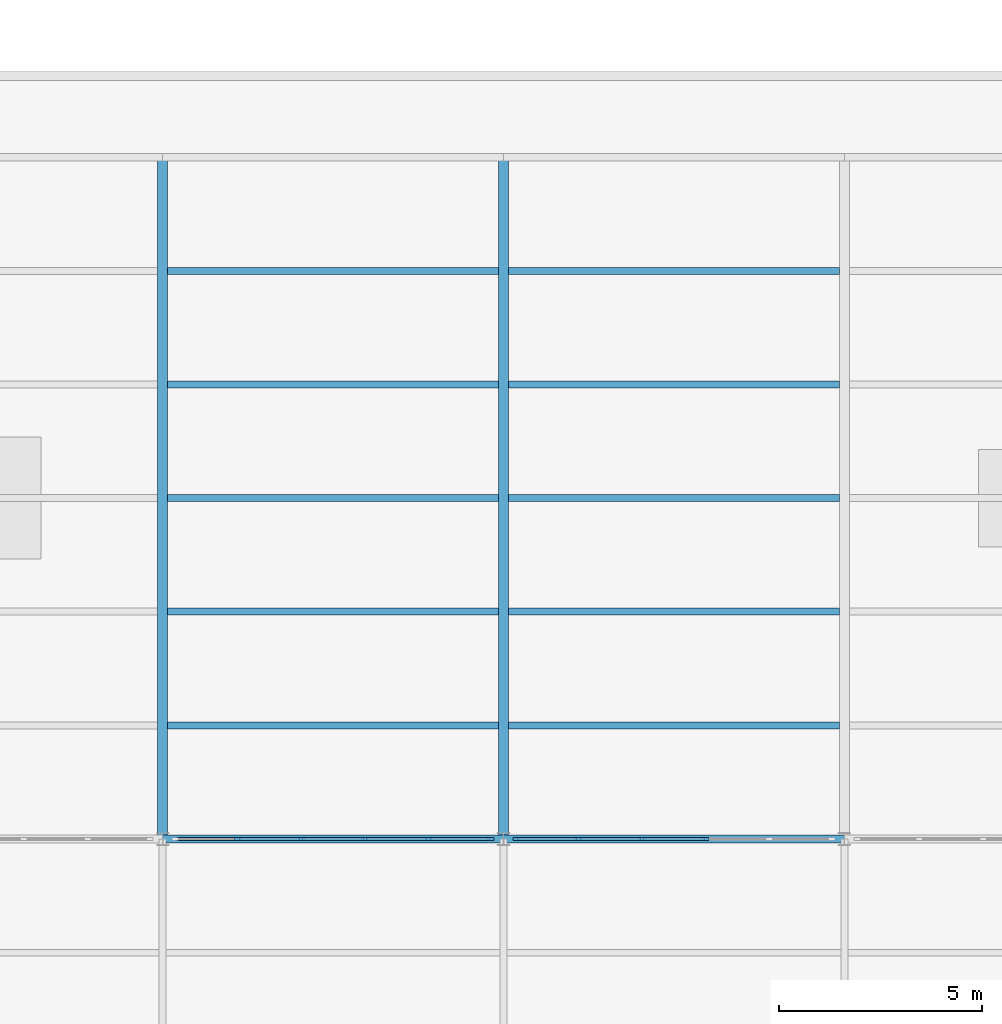
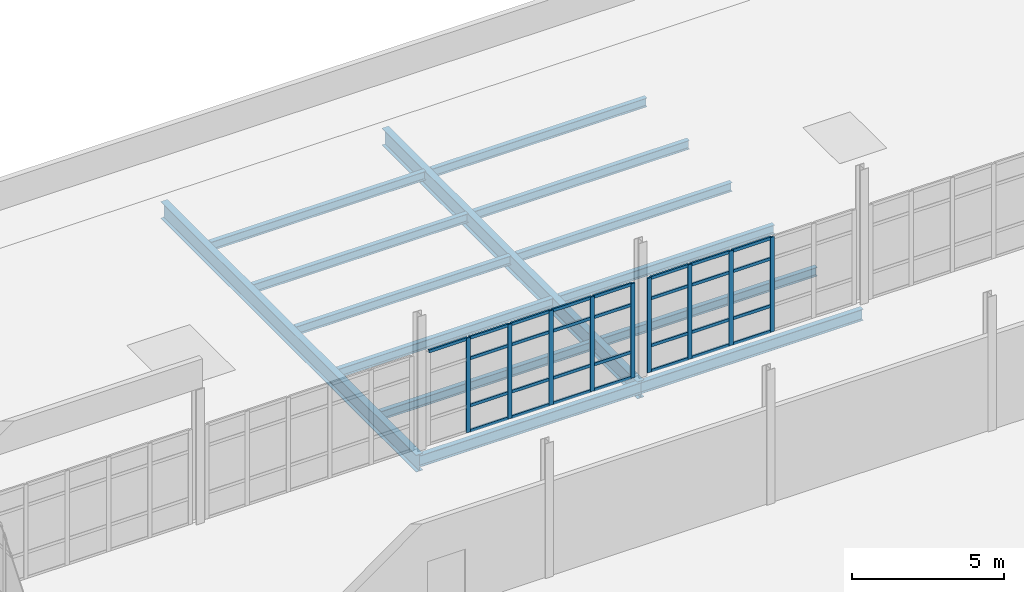
# One storey, part 19 of 33: 38 members, 14 beams, 2 elements without a shape of their own.
"""IFC4 building model written with IfcOpenShell, lengths in metres."""

from ifc_helpers import new_model, si_unit, direction, frame, origin, origin_2d, place, context, subcontext, project, spatial, rectangle, i_section, extrude, material, layer, layer_set, material_profile, profile_set, type_object, element, aggregate, save


model = new_model("IFC4")

# Units and contexts
model_context = context("Model", 3, precision=1e-05, world=origin(), true_north=direction((0.0, 1.0)))
body_context = subcontext(model_context, "Body", "Model", "MODEL_VIEW")
ifc_project = project(units=[si_unit("LENGTHUNIT", "METRE"), si_unit("AREAUNIT", "SQUARE_METRE"), si_unit("VOLUMEUNIT", "CUBIC_METRE"), si_unit("PLANEANGLEUNIT", "RADIAN"), si_unit("MASSUNIT", "GRAM", prefix="KILO"), si_unit("THERMODYNAMICTEMPERATUREUNIT", "KELVIN"), si_unit("POWERUNIT", "WATT")], contexts=[model_context])

# Site, building, storey
site_placement = place(None, origin())
site = spatial("IfcSite", under=ifc_project, at=site_placement, CompositionType="ELEMENT")
building_placement = place(site_placement, origin())
building = spatial("IfcBuilding", under=site, at=building_placement, Name="Tembeka Court Mobility Hub", CompositionType="ELEMENT")
storey_placement = place(building_placement, frame((0.0, 0.0, 23.39990234375)))
storey = spatial("IfcBuildingStorey", under=building, at=storey_placement, Name="L06", CompositionType="ELEMENT", Elevation=23.39990234375)

# Beams
ifc_material_1 = material(Name="Steel S355", Category="steel")
ifc_material_profile_1 = material_profile(ifc_material_1, i_section(OverallWidth=0.18994140625, OverallDepth=0.45703125, WebThickness=0.009033203125, FlangeThickness=0.014404296875, FilletRadius=0.01025390625, at=origin_2d()), Name="UKB 457x191x74")
ifc_profile_set_1 = profile_set([ifc_material_profile_1], Name="Steel S355")
beam_type_1 = type_object("IfcBeamType", Name="BM-B01", PredefinedType="BEAM", material=ifc_profile_set_1)
beam_1_placement = place(storey_placement, frame((50.39990234375, 80.39990234375, -0.478515625), z_axis=(1.0, 0.0, 0.0), x_axis=(0.0, 1.0, 0.0)))
element("IfcBeam", 1, at=beam_1_placement, inside=storey, type_object=beam_type_1, Name="Beam B01 (BM-L06-X3168)", PredefinedType="BEAM", context=body_context, shape_type="SweptSolid", body=[
    extrude(i_section(OverallWidth=0.18994140625, OverallDepth=0.45703125, WebThickness=0.009033203125, FlangeThickness=0.014404296875, FilletRadius=0.01025390625, at=origin_2d()), origin(), (0.0, 0.0, 1.0), 8.400146484375),
])
beam_2_placement = place(storey_placement, frame((58.800048828125, 80.39990234375, -0.478515625), z_axis=(1.0, 0.0, 0.0), x_axis=(0.0, 1.0, 0.0)))
element("IfcBeam", 2, at=beam_2_placement, inside=storey, type_object=beam_type_1, Name="Beam B01 (BM-L06-X3169)", PredefinedType="BEAM", context=body_context, shape_type="SweptSolid", body=[
    extrude(i_section(OverallWidth=0.18994140625, OverallDepth=0.45703125, WebThickness=0.009033203125, FlangeThickness=0.014404296875, FilletRadius=0.01025390625, at=origin_2d()), origin(), (0.0, 0.0, 1.0), 8.39990234375),
])
ifc_material_profile_2 = material_profile(ifc_material_1, i_section(OverallWidth=0.25390625, OverallDepth=0.68408203125, WebThickness=0.012451171875, FlangeThickness=0.01904296875, FilletRadius=0.01513671875, at=origin_2d()), Name="UKB 686x254x140")
ifc_profile_set_2 = profile_set([ifc_material_profile_2], Name="Steel S355")
beam_type_2 = type_object("IfcBeamType", Name="BM-G01", PredefinedType="USERDEFINED", material=ifc_profile_set_2)
for number, where, z_axis, x_axis, name in (
    (3, (50.39990234375, 80.39990234375, -0.591796875), (0.0, 1.0, 0.0), (-1.0, 0.0, 0.0), "Beam G01 (BM-L06-Y3253)"),
    (4, (58.800048828125, 80.39990234375, -0.591796875), (0.0, 1.0, 0.0), (-1.0, 0.0, 0.0), "Beam G01 (BM-L06-Y3260)"),
):
    element("IfcBeam", number, at=place(storey_placement, frame(where, z_axis=z_axis, x_axis=x_axis)), inside=storey, type_object=beam_type_2, Name=name, ObjectType="GIRDER", PredefinedType="USERDEFINED", context=body_context, shape_type="SweptSolid", body=[
        extrude(i_section(OverallWidth=0.25390625, OverallDepth=0.68408203125, WebThickness=0.012451171875, FlangeThickness=0.01904296875, FilletRadius=0.01513671875, at=origin_2d()), origin(), (0.0, 0.0, 1.0), 16.800048828125),
    ])
ifc_material_profile_3 = material_profile(ifc_material_1, i_section(OverallWidth=0.172119140625, OverallDepth=0.35498046875, WebThickness=0.00732421875, FlangeThickness=0.011474609375, FilletRadius=0.01025390625, at=origin_2d()), Name="UKB 356x171x51")
ifc_profile_set_3 = profile_set([ifc_material_profile_3], Name="Steel S355")
beam_type_3 = type_object("IfcBeamType", Name="BM-J01", PredefinedType="JOIST", material=ifc_profile_set_3)
for number, where, z_axis, x_axis, name in (
    (5, (50.52197265625, 83.199951171875, -0.407470703125), (1.0, 0.0, 0.0), (0.0, 1.0, 0.0), "Beam J01 (JST-L06-3416)"),
    (6, (50.52197265625, 86.0, -0.407470703125), (1.0, 0.0, 0.0), (0.0, 1.0, 0.0), "Beam J01 (JST-L06-3417)"),
    (7, (50.52197265625, 88.800048828125, -0.407470703125), (1.0, 0.0, 0.0), (0.0, 1.0, 0.0), "Beam J01 (JST-L06-3418)"),
    (8, (50.52197265625, 91.60009765625, -0.407470703125), (1.0, 0.0, 0.0), (0.0, 1.0, 0.0), "Beam J01 (JST-L06-3419)"),
    (9, (50.52197265625, 94.39990234375, -0.407470703125), (1.0, 0.0, 0.0), (0.0, 1.0, 0.0), "Beam J01 (JST-L06-3420)"),
):
    element("IfcBeam", number, at=place(storey_placement, frame(where, z_axis=z_axis, x_axis=x_axis)), inside=storey, type_object=beam_type_3, Name=name, PredefinedType="JOIST", context=body_context, shape_type="SweptSolid", body=[
        extrude(i_section(OverallWidth=0.172119140625, OverallDepth=0.35498046875, WebThickness=0.00732421875, FlangeThickness=0.011474609375, FilletRadius=0.01025390625, at=origin_2d()), origin(), (0.0, 0.0, 1.0), 8.156005859375),
    ])
for number, where, z_axis, x_axis, name in (
    (10, (58.922119140625, 83.199951171875, -0.407470703125), (1.0, 0.0, 0.0), (0.0, 1.0, 0.0), "Beam J01 (JST-L06-3436)"),
    (11, (58.922119140625, 86.0, -0.407470703125), (1.0, 0.0, 0.0), (0.0, 1.0, 0.0), "Beam J01 (JST-L06-3437)"),
    (12, (58.922119140625, 88.800048828125, -0.407470703125), (1.0, 0.0, 0.0), (0.0, 1.0, 0.0), "Beam J01 (JST-L06-3438)"),
    (13, (58.922119140625, 91.60009765625, -0.407470703125), (1.0, 0.0, 0.0), (0.0, 1.0, 0.0), "Beam J01 (JST-L06-3439)"),
    (14, (58.922119140625, 94.39990234375, -0.407470703125), (1.0, 0.0, 0.0), (0.0, 1.0, 0.0), "Beam J01 (JST-L06-3440)"),
):
    element("IfcBeam", number, at=place(storey_placement, frame(where, z_axis=z_axis, x_axis=x_axis)), inside=storey, type_object=beam_type_3, Name=name, PredefinedType="JOIST", context=body_context, shape_type="SweptSolid", body=[
        extrude(i_section(OverallWidth=0.172119140625, OverallDepth=0.35498046875, WebThickness=0.00732421875, FlangeThickness=0.011474609375, FilletRadius=0.01025390625, at=origin_2d()), origin(), (0.0, 0.0, 1.0), 8.15576171875),
    ])

# Curtain wall, members
ifc_material_2 = material(Name="Anodised aluminium 6063-T6", Category="aluminium")
ifc_layer = layer(ifc_material_2, 0.159912109375)
ifc_layer_set = layer_set([ifc_layer], Name="Anodised aluminium 6063-T6")
curtain_wall_type = type_object("IfcCurtainWallType", Name="CW-SYS57", PredefinedType="USERDEFINED", material=ifc_layer_set)
curtain_wall_1_placement = place(storey_placement, origin())
curtain_wall_1 = element("IfcCurtainWall", 15, at=curtain_wall_1_placement, inside=storey, type_object=curtain_wall_type, Name="Unitised curtain wall CW57 (CW-L06-157)", ObjectType="UNITISED GLAZING", PredefinedType="USERDEFINED")
ifc_material_profile_4 = material_profile(ifc_material_2, rectangle(XDim=0.06494140625, YDim=0.159912109375, at=origin_2d()), Name="ALU-MUL 65x160")
ifc_profile_set_4 = profile_set([ifc_material_profile_4], Name="Anodised aluminium 6063-T6")
member_type_1 = type_object("IfcMemberType", Name="CW-MUL01", PredefinedType="MULLION", material=ifc_profile_set_4)
member_1_placement = place(storey_placement, frame((52.248046875, 80.39990234375, 0.0), z_axis=(0.0, 0.0, 1.0), x_axis=(0.0, 1.0, 0.0)))
member_1 = element("IfcMember", 16, at=member_1_placement, type_object=member_type_1, Name="CW57 mullion 2", PredefinedType="MULLION", context=body_context, shape_type="SweptSolid", body=[
    extrude(rectangle(XDim=0.06494140625, YDim=0.159912109375, at=origin_2d()), origin(), (0.0, 0.0, 1.0), 3.795166015625),
])
member_2_placement = place(storey_placement, frame((53.81591796875, 80.39990234375, 0.0), z_axis=(0.0, 0.0, 1.0), x_axis=(0.0, 1.0, 0.0)))
member_2 = element("IfcMember", 17, at=member_2_placement, type_object=member_type_1, Name="CW57 mullion 3", PredefinedType="MULLION", context=body_context, shape_type="SweptSolid", body=[
    extrude(rectangle(XDim=0.06494140625, YDim=0.159912109375, at=origin_2d()), origin(), (0.0, 0.0, 1.0), 3.795166015625),
])
member_3_placement = place(storey_placement, frame((55.384033203125, 80.39990234375, 0.0), z_axis=(0.0, 0.0, 1.0), x_axis=(0.0, 1.0, 0.0)))
member_3 = element("IfcMember", 18, at=member_3_placement, type_object=member_type_1, Name="CW57 mullion 4", PredefinedType="MULLION", context=body_context, shape_type="SweptSolid", body=[
    extrude(rectangle(XDim=0.06494140625, YDim=0.159912109375, at=origin_2d()), origin(), (0.0, 0.0, 1.0), 3.795166015625),
])
member_4_placement = place(storey_placement, frame((56.951904296875, 80.39990234375, 0.0), z_axis=(0.0, 0.0, 1.0), x_axis=(0.0, 1.0, 0.0)))
member_4 = element("IfcMember", 19, at=member_4_placement, type_object=member_type_1, Name="CW57 mullion 5", PredefinedType="MULLION", context=body_context, shape_type="SweptSolid", body=[
    extrude(rectangle(XDim=0.06494140625, YDim=0.159912109375, at=origin_2d()), origin(), (0.0, 0.0, 1.0), 3.795166015625),
])
member_5_placement = place(storey_placement, frame((58.487548828125, 80.39990234375, 0.0), z_axis=(0.0, 0.0, 1.0), x_axis=(0.0, 1.0, 0.0)))
member_5 = element("IfcMember", 20, at=member_5_placement, type_object=member_type_1, Name="CW57 mullion 6", PredefinedType="MULLION", context=body_context, shape_type="SweptSolid", body=[
    extrude(rectangle(XDim=0.06494140625, YDim=0.159912109375, at=origin_2d()), origin(), (0.0, 0.0, 1.0), 3.795166015625),
])

curtain_wall_2_placement = place(storey_placement, origin())
curtain_wall_2 = element("IfcCurtainWall", 21, at=curtain_wall_2_placement, inside=storey, type_object=curtain_wall_type, Name="Unitised curtain wall CW57 (CW-L06-159)", ObjectType="UNITISED GLAZING", PredefinedType="USERDEFINED")
member_6_placement = place(storey_placement, frame((59.112548828125, 80.39990234375, 0.0), z_axis=(0.0, 0.0, 1.0), x_axis=(0.0, 1.0, 0.0)))
member_6 = element("IfcMember", 22, at=member_6_placement, type_object=member_type_1, Name="CW57 mullion 1", PredefinedType="MULLION", context=body_context, shape_type="SweptSolid", body=[
    extrude(rectangle(XDim=0.06494140625, YDim=0.159912109375, at=origin_2d()), origin(), (0.0, 0.0, 1.0), 3.795166015625),
])
member_7_placement = place(storey_placement, frame((60.64794921875, 80.39990234375, 0.0), z_axis=(0.0, 0.0, 1.0), x_axis=(0.0, 1.0, 0.0)))
member_7 = element("IfcMember", 23, at=member_7_placement, type_object=member_type_1, Name="CW57 mullion 2", PredefinedType="MULLION", context=body_context, shape_type="SweptSolid", body=[
    extrude(rectangle(XDim=0.06494140625, YDim=0.159912109375, at=origin_2d()), origin(), (0.0, 0.0, 1.0), 3.795166015625),
])
member_8_placement = place(storey_placement, frame((62.216064453125, 80.39990234375, 0.0), z_axis=(0.0, 0.0, 1.0), x_axis=(0.0, 1.0, 0.0)))
member_8 = element("IfcMember", 24, at=member_8_placement, type_object=member_type_1, Name="CW57 mullion 3", PredefinedType="MULLION", context=body_context, shape_type="SweptSolid", body=[
    extrude(rectangle(XDim=0.06494140625, YDim=0.159912109375, at=origin_2d()), origin(), (0.0, 0.0, 1.0), 3.795166015625),
])
member_9_placement = place(storey_placement, frame((63.783935546875, 80.39990234375, 0.0), z_axis=(0.0, 0.0, 1.0), x_axis=(0.0, 1.0, 0.0)))
member_9 = element("IfcMember", 25, at=member_9_placement, type_object=member_type_1, Name="CW57 mullion 4", PredefinedType="MULLION", context=body_context, shape_type="SweptSolid", body=[
    extrude(rectangle(XDim=0.06494140625, YDim=0.159912109375, at=origin_2d()), origin(), (0.0, 0.0, 1.0), 3.795166015625),
])

# Member
ifc_material_profile_5 = material_profile(ifc_material_2, rectangle(XDim=0.06494140625, YDim=0.1201171875, at=origin_2d()), Name="ALU-TRN 65x120")
ifc_profile_set_5 = profile_set([ifc_material_profile_5], Name="Anodised aluminium 6063-T6")
member_type_2 = type_object("IfcMemberType", Name="CW-TRN01", PredefinedType="USERDEFINED", material=ifc_profile_set_5)
member_10_placement = place(storey_placement, frame((50.7451171875, 80.39990234375, 3.7626953125), z_axis=(1.0, 0.0, 0.0), x_axis=(0.0, 1.0, 0.0)))
member_10 = element("IfcMember", 26, at=member_10_placement, type_object=member_type_2, Name="CW57 transom 1.4", ObjectType="TRANSOM", PredefinedType="USERDEFINED", context=body_context, shape_type="SweptSolid", body=[
    extrude(rectangle(XDim=0.06494140625, YDim=0.1201171875, at=origin_2d()), origin(), (0.0, 0.0, 1.0), 1.470458984375),
])

member_11_placement = place(storey_placement, frame((52.280517578125, 80.39990234375, 0.03271484375), z_axis=(1.0, 0.0, 0.0), x_axis=(0.0, 1.0, 0.0)))
member_11 = element("IfcMember", 27, at=member_11_placement, type_object=member_type_2, Name="CW57 transom 2.1", ObjectType="TRANSOM", PredefinedType="USERDEFINED", context=body_context, shape_type="SweptSolid", body=[
    extrude(rectangle(XDim=0.06494140625, YDim=0.1201171875, at=origin_2d()), origin(), (0.0, 0.0, 1.0), 1.5029296875),
])

member_12_placement = place(storey_placement, frame((52.280517578125, 80.39990234375, 1.050048828125), z_axis=(1.0, 0.0, 0.0), x_axis=(0.0, 1.0, 0.0)))
member_12 = element("IfcMember", 28, at=member_12_placement, type_object=member_type_2, Name="CW57 transom 2.2", ObjectType="TRANSOM", PredefinedType="USERDEFINED", context=body_context, shape_type="SweptSolid", body=[
    extrude(rectangle(XDim=0.06494140625, YDim=0.1201171875, at=origin_2d()), origin(), (0.0, 0.0, 1.0), 1.5029296875),
])

member_13_placement = place(storey_placement, frame((52.280517578125, 80.39990234375, 2.945068359375), z_axis=(1.0, 0.0, 0.0), x_axis=(0.0, 1.0, 0.0)))
member_13 = element("IfcMember", 29, at=member_13_placement, type_object=member_type_2, Name="CW57 transom 2.3", ObjectType="TRANSOM", PredefinedType="USERDEFINED", context=body_context, shape_type="SweptSolid", body=[
    extrude(rectangle(XDim=0.06494140625, YDim=0.1201171875, at=origin_2d()), origin(), (0.0, 0.0, 1.0), 1.5029296875),
])

member_14_placement = place(storey_placement, frame((52.280517578125, 80.39990234375, 3.7626953125), z_axis=(1.0, 0.0, 0.0), x_axis=(0.0, 1.0, 0.0)))
member_14 = element("IfcMember", 30, at=member_14_placement, type_object=member_type_2, Name="CW57 transom 2.4", ObjectType="TRANSOM", PredefinedType="USERDEFINED", context=body_context, shape_type="SweptSolid", body=[
    extrude(rectangle(XDim=0.06494140625, YDim=0.1201171875, at=origin_2d()), origin(), (0.0, 0.0, 1.0), 1.5029296875),
])

member_15_placement = place(storey_placement, frame((53.848388671875, 80.39990234375, 0.03271484375), z_axis=(1.0, 0.0, 0.0), x_axis=(0.0, 1.0, 0.0)))
member_15 = element("IfcMember", 31, at=member_15_placement, type_object=member_type_2, Name="CW57 transom 3.1", ObjectType="TRANSOM", PredefinedType="USERDEFINED", context=body_context, shape_type="SweptSolid", body=[
    extrude(rectangle(XDim=0.06494140625, YDim=0.1201171875, at=origin_2d()), origin(), (0.0, 0.0, 1.0), 1.503173828125),
])

member_16_placement = place(storey_placement, frame((53.848388671875, 80.39990234375, 1.050048828125), z_axis=(1.0, 0.0, 0.0), x_axis=(0.0, 1.0, 0.0)))
member_16 = element("IfcMember", 32, at=member_16_placement, type_object=member_type_2, Name="CW57 transom 3.2", ObjectType="TRANSOM", PredefinedType="USERDEFINED", context=body_context, shape_type="SweptSolid", body=[
    extrude(rectangle(XDim=0.06494140625, YDim=0.1201171875, at=origin_2d()), origin(), (0.0, 0.0, 1.0), 1.503173828125),
])

member_17_placement = place(storey_placement, frame((53.848388671875, 80.39990234375, 2.945068359375), z_axis=(1.0, 0.0, 0.0), x_axis=(0.0, 1.0, 0.0)))
member_17 = element("IfcMember", 33, at=member_17_placement, type_object=member_type_2, Name="CW57 transom 3.3", ObjectType="TRANSOM", PredefinedType="USERDEFINED", context=body_context, shape_type="SweptSolid", body=[
    extrude(rectangle(XDim=0.06494140625, YDim=0.1201171875, at=origin_2d()), origin(), (0.0, 0.0, 1.0), 1.503173828125),
])

member_18_placement = place(storey_placement, frame((53.848388671875, 80.39990234375, 3.7626953125), z_axis=(1.0, 0.0, 0.0), x_axis=(0.0, 1.0, 0.0)))
member_18 = element("IfcMember", 34, at=member_18_placement, type_object=member_type_2, Name="CW57 transom 3.4", ObjectType="TRANSOM", PredefinedType="USERDEFINED", context=body_context, shape_type="SweptSolid", body=[
    extrude(rectangle(XDim=0.06494140625, YDim=0.1201171875, at=origin_2d()), origin(), (0.0, 0.0, 1.0), 1.503173828125),
])

member_19_placement = place(storey_placement, frame((55.41650390625, 80.39990234375, 0.03271484375), z_axis=(1.0, 0.0, 0.0), x_axis=(0.0, 1.0, 0.0)))
member_19 = element("IfcMember", 35, at=member_19_placement, type_object=member_type_2, Name="CW57 transom 4.1", ObjectType="TRANSOM", PredefinedType="USERDEFINED", context=body_context, shape_type="SweptSolid", body=[
    extrude(rectangle(XDim=0.06494140625, YDim=0.1201171875, at=origin_2d()), origin(), (0.0, 0.0, 1.0), 1.5029296875),
])

member_20_placement = place(storey_placement, frame((55.41650390625, 80.39990234375, 1.050048828125), z_axis=(1.0, 0.0, 0.0), x_axis=(0.0, 1.0, 0.0)))
member_20 = element("IfcMember", 36, at=member_20_placement, type_object=member_type_2, Name="CW57 transom 4.2", ObjectType="TRANSOM", PredefinedType="USERDEFINED", context=body_context, shape_type="SweptSolid", body=[
    extrude(rectangle(XDim=0.06494140625, YDim=0.1201171875, at=origin_2d()), origin(), (0.0, 0.0, 1.0), 1.5029296875),
])

member_21_placement = place(storey_placement, frame((55.41650390625, 80.39990234375, 2.945068359375), z_axis=(1.0, 0.0, 0.0), x_axis=(0.0, 1.0, 0.0)))
member_21 = element("IfcMember", 37, at=member_21_placement, type_object=member_type_2, Name="CW57 transom 4.3", ObjectType="TRANSOM", PredefinedType="USERDEFINED", context=body_context, shape_type="SweptSolid", body=[
    extrude(rectangle(XDim=0.06494140625, YDim=0.1201171875, at=origin_2d()), origin(), (0.0, 0.0, 1.0), 1.5029296875),
])

member_22_placement = place(storey_placement, frame((55.41650390625, 80.39990234375, 3.7626953125), z_axis=(1.0, 0.0, 0.0), x_axis=(0.0, 1.0, 0.0)))
member_22 = element("IfcMember", 38, at=member_22_placement, type_object=member_type_2, Name="CW57 transom 4.4", ObjectType="TRANSOM", PredefinedType="USERDEFINED", context=body_context, shape_type="SweptSolid", body=[
    extrude(rectangle(XDim=0.06494140625, YDim=0.1201171875, at=origin_2d()), origin(), (0.0, 0.0, 1.0), 1.5029296875),
])

member_23_placement = place(storey_placement, frame((56.984619140625, 80.39990234375, 0.03271484375), z_axis=(1.0, 0.0, 0.0), x_axis=(0.0, 1.0, 0.0)))
member_23 = element("IfcMember", 39, at=member_23_placement, type_object=member_type_2, Name="CW57 transom 5.1", ObjectType="TRANSOM", PredefinedType="USERDEFINED", context=body_context, shape_type="SweptSolid", body=[
    extrude(rectangle(XDim=0.06494140625, YDim=0.1201171875, at=origin_2d()), origin(), (0.0, 0.0, 1.0), 1.470458984375),
])

member_24_placement = place(storey_placement, frame((56.984619140625, 80.39990234375, 1.050048828125), z_axis=(1.0, 0.0, 0.0), x_axis=(0.0, 1.0, 0.0)))
member_24 = element("IfcMember", 40, at=member_24_placement, type_object=member_type_2, Name="CW57 transom 5.2", ObjectType="TRANSOM", PredefinedType="USERDEFINED", context=body_context, shape_type="SweptSolid", body=[
    extrude(rectangle(XDim=0.06494140625, YDim=0.1201171875, at=origin_2d()), origin(), (0.0, 0.0, 1.0), 1.470458984375),
])

member_25_placement = place(storey_placement, frame((56.984619140625, 80.39990234375, 2.945068359375), z_axis=(1.0, 0.0, 0.0), x_axis=(0.0, 1.0, 0.0)))
member_25 = element("IfcMember", 41, at=member_25_placement, type_object=member_type_2, Name="CW57 transom 5.3", ObjectType="TRANSOM", PredefinedType="USERDEFINED", context=body_context, shape_type="SweptSolid", body=[
    extrude(rectangle(XDim=0.06494140625, YDim=0.1201171875, at=origin_2d()), origin(), (0.0, 0.0, 1.0), 1.470458984375),
])

member_26_placement = place(storey_placement, frame((56.984619140625, 80.39990234375, 3.7626953125), z_axis=(1.0, 0.0, 0.0), x_axis=(0.0, 1.0, 0.0)))
member_26 = element("IfcMember", 42, at=member_26_placement, type_object=member_type_2, Name="CW57 transom 5.4", ObjectType="TRANSOM", PredefinedType="USERDEFINED", context=body_context, shape_type="SweptSolid", body=[
    extrude(rectangle(XDim=0.06494140625, YDim=0.1201171875, at=origin_2d()), origin(), (0.0, 0.0, 1.0), 1.470458984375),
])

aggregate(curtain_wall_1, [member_1, member_2, member_3, member_4, member_5, member_10, member_11, member_12, member_13, member_14, member_15, member_16, member_17, member_18, member_19, member_20, member_21, member_22, member_23, member_24, member_25, member_26])

member_27_placement = place(storey_placement, frame((59.14501953125, 80.39990234375, 0.03271484375), z_axis=(1.0, 0.0, 0.0), x_axis=(0.0, 1.0, 0.0)))
member_27 = element("IfcMember", 43, at=member_27_placement, type_object=member_type_2, Name="CW57 transom 1.1", ObjectType="TRANSOM", PredefinedType="USERDEFINED", context=body_context, shape_type="SweptSolid", body=[
    extrude(rectangle(XDim=0.06494140625, YDim=0.1201171875, at=origin_2d()), origin(), (0.0, 0.0, 1.0), 1.470458984375),
])

member_28_placement = place(storey_placement, frame((59.14501953125, 80.39990234375, 1.050048828125), z_axis=(1.0, 0.0, 0.0), x_axis=(0.0, 1.0, 0.0)))
member_28 = element("IfcMember", 44, at=member_28_placement, type_object=member_type_2, Name="CW57 transom 1.2", ObjectType="TRANSOM", PredefinedType="USERDEFINED", context=body_context, shape_type="SweptSolid", body=[
    extrude(rectangle(XDim=0.06494140625, YDim=0.1201171875, at=origin_2d()), origin(), (0.0, 0.0, 1.0), 1.470458984375),
])

member_29_placement = place(storey_placement, frame((59.14501953125, 80.39990234375, 2.945068359375), z_axis=(1.0, 0.0, 0.0), x_axis=(0.0, 1.0, 0.0)))
member_29 = element("IfcMember", 45, at=member_29_placement, type_object=member_type_2, Name="CW57 transom 1.3", ObjectType="TRANSOM", PredefinedType="USERDEFINED", context=body_context, shape_type="SweptSolid", body=[
    extrude(rectangle(XDim=0.06494140625, YDim=0.1201171875, at=origin_2d()), origin(), (0.0, 0.0, 1.0), 1.470458984375),
])

member_30_placement = place(storey_placement, frame((59.14501953125, 80.39990234375, 3.7626953125), z_axis=(1.0, 0.0, 0.0), x_axis=(0.0, 1.0, 0.0)))
member_30 = element("IfcMember", 46, at=member_30_placement, type_object=member_type_2, Name="CW57 transom 1.4", ObjectType="TRANSOM", PredefinedType="USERDEFINED", context=body_context, shape_type="SweptSolid", body=[
    extrude(rectangle(XDim=0.06494140625, YDim=0.1201171875, at=origin_2d()), origin(), (0.0, 0.0, 1.0), 1.470458984375),
])

member_31_placement = place(storey_placement, frame((60.680419921875, 80.39990234375, 0.03271484375), z_axis=(1.0, 0.0, 0.0), x_axis=(0.0, 1.0, 0.0)))
member_31 = element("IfcMember", 47, at=member_31_placement, type_object=member_type_2, Name="CW57 transom 2.1", ObjectType="TRANSOM", PredefinedType="USERDEFINED", context=body_context, shape_type="SweptSolid", body=[
    extrude(rectangle(XDim=0.06494140625, YDim=0.1201171875, at=origin_2d()), origin(), (0.0, 0.0, 1.0), 1.503173828125),
])

member_32_placement = place(storey_placement, frame((60.680419921875, 80.39990234375, 1.050048828125), z_axis=(1.0, 0.0, 0.0), x_axis=(0.0, 1.0, 0.0)))
member_32 = element("IfcMember", 48, at=member_32_placement, type_object=member_type_2, Name="CW57 transom 2.2", ObjectType="TRANSOM", PredefinedType="USERDEFINED", context=body_context, shape_type="SweptSolid", body=[
    extrude(rectangle(XDim=0.06494140625, YDim=0.1201171875, at=origin_2d()), origin(), (0.0, 0.0, 1.0), 1.503173828125),
])

member_33_placement = place(storey_placement, frame((60.680419921875, 80.39990234375, 2.945068359375), z_axis=(1.0, 0.0, 0.0), x_axis=(0.0, 1.0, 0.0)))
member_33 = element("IfcMember", 49, at=member_33_placement, type_object=member_type_2, Name="CW57 transom 2.3", ObjectType="TRANSOM", PredefinedType="USERDEFINED", context=body_context, shape_type="SweptSolid", body=[
    extrude(rectangle(XDim=0.06494140625, YDim=0.1201171875, at=origin_2d()), origin(), (0.0, 0.0, 1.0), 1.503173828125),
])

member_34_placement = place(storey_placement, frame((60.680419921875, 80.39990234375, 3.7626953125), z_axis=(1.0, 0.0, 0.0), x_axis=(0.0, 1.0, 0.0)))
member_34 = element("IfcMember", 50, at=member_34_placement, type_object=member_type_2, Name="CW57 transom 2.4", ObjectType="TRANSOM", PredefinedType="USERDEFINED", context=body_context, shape_type="SweptSolid", body=[
    extrude(rectangle(XDim=0.06494140625, YDim=0.1201171875, at=origin_2d()), origin(), (0.0, 0.0, 1.0), 1.503173828125),
])

member_35_placement = place(storey_placement, frame((62.24853515625, 80.39990234375, 0.03271484375), z_axis=(1.0, 0.0, 0.0), x_axis=(0.0, 1.0, 0.0)))
member_35 = element("IfcMember", 51, at=member_35_placement, type_object=member_type_2, Name="CW57 transom 3.1", ObjectType="TRANSOM", PredefinedType="USERDEFINED", context=body_context, shape_type="SweptSolid", body=[
    extrude(rectangle(XDim=0.06494140625, YDim=0.1201171875, at=origin_2d()), origin(), (0.0, 0.0, 1.0), 1.5029296875),
])

member_36_placement = place(storey_placement, frame((62.24853515625, 80.39990234375, 1.050048828125), z_axis=(1.0, 0.0, 0.0), x_axis=(0.0, 1.0, 0.0)))
member_36 = element("IfcMember", 52, at=member_36_placement, type_object=member_type_2, Name="CW57 transom 3.2", ObjectType="TRANSOM", PredefinedType="USERDEFINED", context=body_context, shape_type="SweptSolid", body=[
    extrude(rectangle(XDim=0.06494140625, YDim=0.1201171875, at=origin_2d()), origin(), (0.0, 0.0, 1.0), 1.5029296875),
])

member_37_placement = place(storey_placement, frame((62.24853515625, 80.39990234375, 2.945068359375), z_axis=(1.0, 0.0, 0.0), x_axis=(0.0, 1.0, 0.0)))
member_37 = element("IfcMember", 53, at=member_37_placement, type_object=member_type_2, Name="CW57 transom 3.3", ObjectType="TRANSOM", PredefinedType="USERDEFINED", context=body_context, shape_type="SweptSolid", body=[
    extrude(rectangle(XDim=0.06494140625, YDim=0.1201171875, at=origin_2d()), origin(), (0.0, 0.0, 1.0), 1.5029296875),
])

member_38_placement = place(storey_placement, frame((62.24853515625, 80.39990234375, 3.7626953125), z_axis=(1.0, 0.0, 0.0), x_axis=(0.0, 1.0, 0.0)))
member_38 = element("IfcMember", 54, at=member_38_placement, type_object=member_type_2, Name="CW57 transom 3.4", ObjectType="TRANSOM", PredefinedType="USERDEFINED", context=body_context, shape_type="SweptSolid", body=[
    extrude(rectangle(XDim=0.06494140625, YDim=0.1201171875, at=origin_2d()), origin(), (0.0, 0.0, 1.0), 1.5029296875),
])

aggregate(curtain_wall_2, [member_6, member_7, member_8, member_9, member_27, member_28, member_29, member_30, member_31, member_32, member_33, member_34, member_35, member_36, member_37, member_38])

save(model, "model.ifc")
